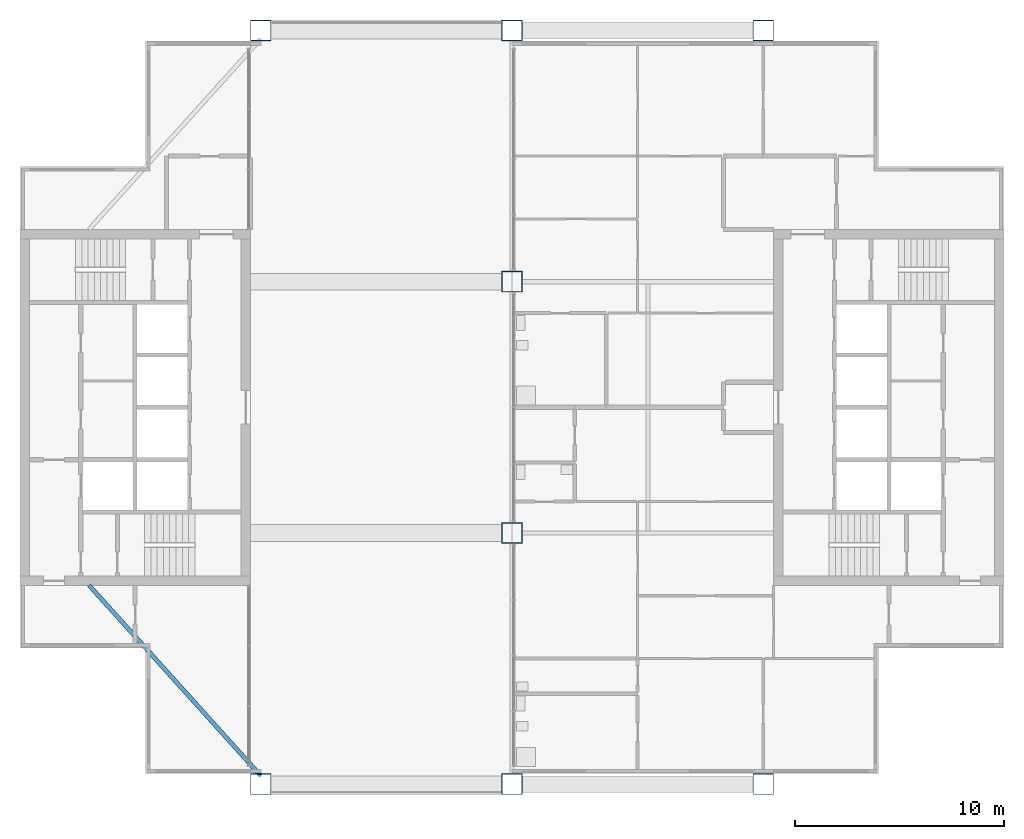
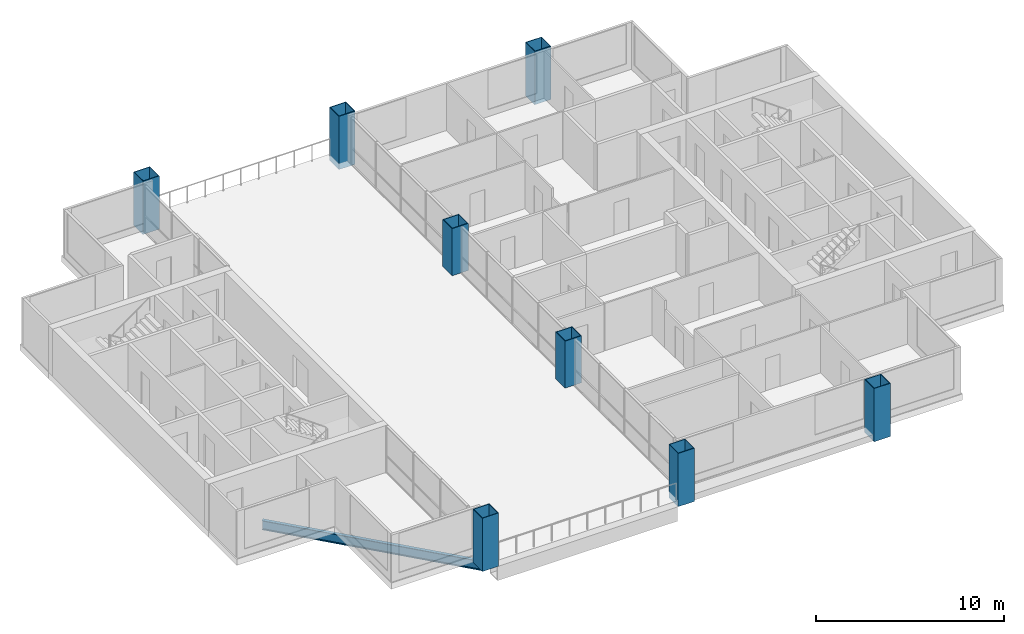
# One storey, part 1 of 12: 8 columns, 1 beam.
"""IFC4 building model written with IfcOpenShell, lengths in metres."""

from ifc_helpers import new_model, si_unit, direction, frame, origin, origin_2d, place, context, subcontext, project, spatial, hollow_rectangle, i_section, extrude, material, material_profile, profile_set, type_object, element, save


model = new_model("IFC4")

# Units and contexts
model_context = context("Model", 3, precision=1e-05, world=origin(), true_north=direction((0.0, 1.0)))
body_context = subcontext(model_context, "Body", "Model", "MODEL_VIEW")
ifc_project = project(units=[si_unit("LENGTHUNIT", "METRE"), si_unit("AREAUNIT", "SQUARE_METRE"), si_unit("VOLUMEUNIT", "CUBIC_METRE"), si_unit("PLANEANGLEUNIT", "RADIAN"), si_unit("MASSUNIT", "GRAM", prefix="KILO")], contexts=[model_context])

# Site, building, storey
site_placement = place(None, origin())
site = spatial("IfcSite", under=ifc_project, at=site_placement, CompositionType="ELEMENT")
building_placement = place(site_placement, origin())
building = spatial("IfcBuilding", under=site, at=building_placement, Name="Kitamizu Gate Tower and Museum", CompositionType="ELEMENT")
storey_placement = place(building_placement, frame((0.0, 0.0, 249.0)))
storey = spatial("IfcBuildingStorey", under=building, at=storey_placement, Name="L67", CompositionType="ELEMENT", Elevation=249.0)

# Columns
ifc_material_1 = material(Name="Steel SM490A bronze coated", Category="steel")
ifc_material_profile_1 = material_profile(ifc_material_1, hollow_rectangle(XDim=1.0, YDim=1.0, WallThickness=0.035888671875, at=origin_2d()), Name="BOX 1000x1000x36")
ifc_profile_set_1 = profile_set([ifc_material_profile_1], Name="Steel SM490A bronze coated")
column_type_1 = type_object("IfcColumnType", Name="Exoskeleton column XC9 BOX 1000x1000x36", PredefinedType="COLUMN", material=ifc_profile_set_1)
for number, where, z_axis, x_axis, name in (
    (1, (24.0, 12.0, -0.39990234375), (0.0, 0.0, 1.0), (1.0, 0.0, 0.0), "Column XC9 3B L67"),
    (2, (24.0, 48.0, -0.39990234375), (0.0, 0.0, 1.0), (1.0, 0.0, 0.0), "Column XC9 3E L67"),
    (3, (36.0, 12.0, -0.39990234375), (0.0, 0.0, 1.0), (1.0, 0.0, 0.0), "Column XC9 4B L67"),
    (4, (36.0, 48.0, -0.39990234375), (0.0, 0.0, 1.0), (1.0, 0.0, 0.0), "Column XC9 4E L67"),
    (5, (48.0, 12.0, -0.39990234375), (0.0, 0.0, 1.0), (1.0, 0.0, 0.0), "Column XC9 5B L67"),
    (6, (48.0, 48.0, -0.39990234375), (0.0, 0.0, 1.0), (1.0, 0.0, 0.0), "Column XC9 5E L67"),
):
    element("IfcColumn", number, at=place(storey_placement, frame(where, z_axis=z_axis, x_axis=x_axis)), inside=storey, type_object=column_type_1, Name=name, PredefinedType="COLUMN", context=body_context, shape_type="SweptSolid", body=[
        extrude(hollow_rectangle(XDim=1.0, YDim=1.0, WallThickness=0.035888671875, at=origin_2d()), origin(), (0.0, 0.0, 1.0), 3.449951171875),
    ])
ifc_material_2 = material(Name="Steel SM490A", Category="steel")
ifc_material_profile_2 = material_profile(ifc_material_2, hollow_rectangle(XDim=1.0, YDim=1.0, WallThickness=0.0400390625, at=origin_2d()), Name="BOX 1000x1000x40")
ifc_profile_set_2 = profile_set([ifc_material_profile_2], Name="Steel SM490A")
column_type_2 = type_object("IfcColumnType", Name="Interior column IC5 BOX 1000x1000x40", PredefinedType="COLUMN", material=ifc_profile_set_2)
for number, where, z_axis, x_axis, name in (
    (7, (36.0, 24.0, 0.0), (0.0, 0.0, 1.0), (1.0, 0.0, 0.0), "Column IC5 4C L67"),
    (8, (36.0, 36.0, 0.0), (0.0, 0.0, 1.0), (1.0, 0.0, 0.0), "Column IC5 4D L67"),
):
    element("IfcColumn", number, at=place(storey_placement, frame(where, z_axis=z_axis, x_axis=x_axis)), inside=storey, type_object=column_type_2, Name=name, PredefinedType="COLUMN", context=body_context, shape_type="SweptSolid", body=[
        extrude(hollow_rectangle(XDim=1.0, YDim=1.0, WallThickness=0.0400390625, at=origin_2d()), origin(), (0.0, 0.0, 1.0), 3.050048828125),
    ])

# Beam
ifc_material_3 = material(Name="Steel SM490A", Category="steel")
ifc_material_profile_3 = material_profile(ifc_material_3, i_section(OverallWidth=0.199951171875, OverallDepth=0.60009765625, WebThickness=0.010986328125, FlangeThickness=0.01708984375, FilletRadius=0.02197265625, at=origin_2d()), Name="H-600x200x11x17")
ifc_profile_set_3 = profile_set([ifc_material_profile_3], Name="Steel SM490A")
beam_type = type_object("IfcBeamType", Name="Floor girder FG1 H 600x200x11x17", PredefinedType="BEAM", material=ifc_profile_set_3)
beam_placement = place(storey_placement, frame((24.0, 12.39990234375, -0.699951171875), z_axis=(-0.669409471884, 0.742893639057, 0.0), x_axis=(-0.742893639057, -0.669409471884, 0.0)))
element("IfcBeam", 9, at=beam_placement, inside=storey, type_object=beam_type, Name="Portal flank girder S L67", PredefinedType="BEAM", context=body_context, shape_type="SweptSolid", body=[
    extrude(i_section(OverallWidth=0.199951171875, OverallDepth=0.60009765625, WebThickness=0.010986328125, FlangeThickness=0.01708984375, FilletRadius=0.02197265625, at=origin_2d()), origin(), (0.0, 0.0, 1.0), 12.24951171875),
])

save(model, "model.ifc")
